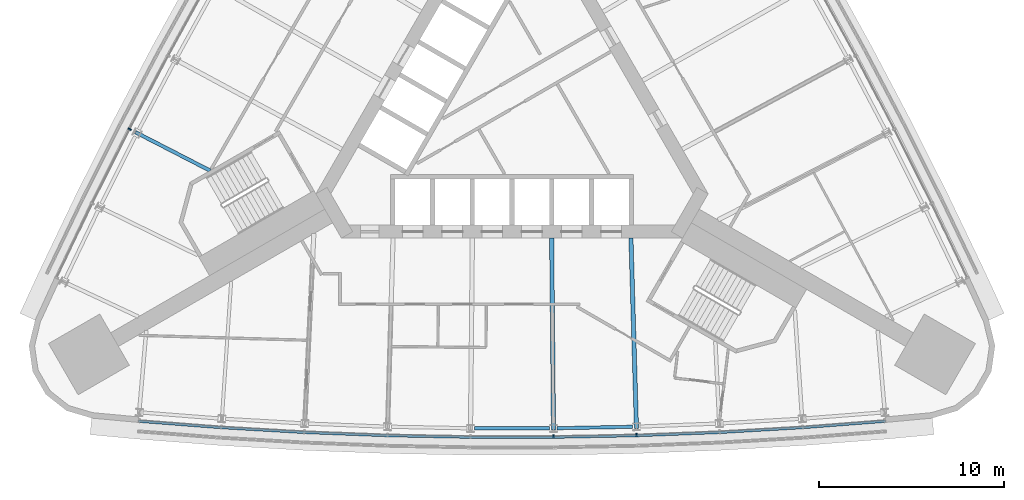
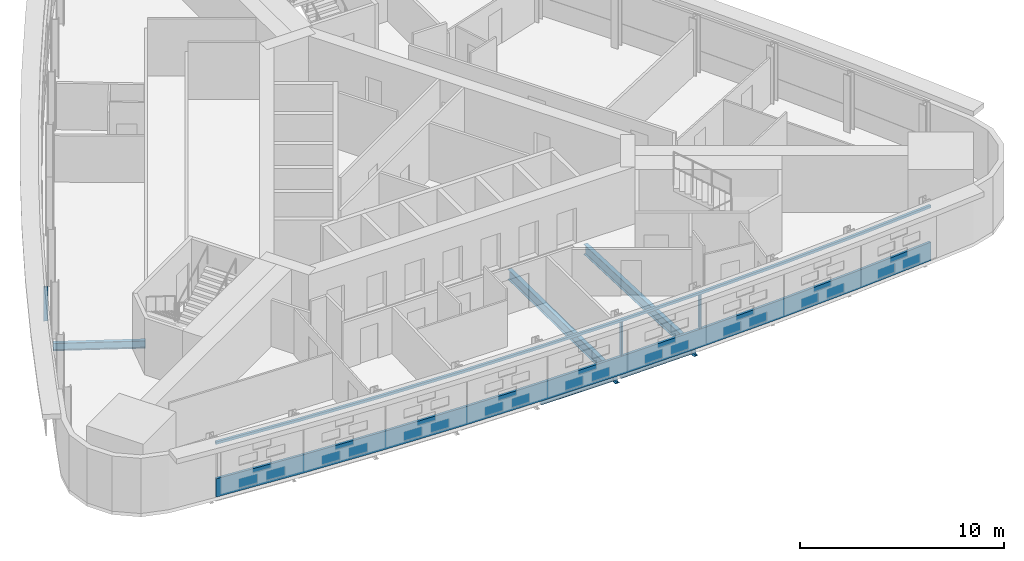
# One storey, part 3 of 14: 5 beams, 5 members, 2 elements without a shape of their own.
"""IFC4 building model written with IfcOpenShell, lengths in metres."""

from ifc_helpers import new_model, si_unit, direction, frame, origin, origin_2d, place, context, subcontext, project, spatial, polyline, rectangle, i_section, outline, extrude, material, material_profile, profile_set, type_object, element, aggregate, save


model = new_model("IFC4")

# Units and contexts
model_context = context("Model", 3, precision=1e-05, world=origin(), true_north=direction((0.0, 1.0)))
body_context = subcontext(model_context, "Body", "Model", "MODEL_VIEW")
ifc_project = project(units=[si_unit("LENGTHUNIT", "METRE"), si_unit("AREAUNIT", "SQUARE_METRE"), si_unit("VOLUMEUNIT", "CUBIC_METRE"), si_unit("PLANEANGLEUNIT", "RADIAN"), si_unit("MASSUNIT", "GRAM", prefix="KILO")], contexts=[model_context])

# Site, building, storey
site_placement = place(None, origin())
site = spatial("IfcSite", under=ifc_project, at=site_placement, CompositionType="ELEMENT")
building_placement = place(site_placement, origin())
building = spatial("IfcBuilding", under=site, at=building_placement, Name="Noor Cloister Tower", CompositionType="ELEMENT")
storey_placement = place(building_placement, frame((0.0, 0.0, 72.60009765625)))
storey = spatial("IfcBuildingStorey", under=building, at=storey_placement, Name="L18", CompositionType="ELEMENT", Elevation=72.60009765625)

# Curtain wall, member
ifc_material_1 = material(Name="Aluminium 6063-T6 anodised", Category="aluminium")
curtain_wall_type = type_object("IfcCurtainWallType", Name="Ribbon curtain wall, lower tower CW1", PredefinedType="NOTDEFINED", material=ifc_material_1)
curtain_wall_1_placement = place(storey_placement, origin())
curtain_wall_1 = element("IfcCurtainWall", 1, at=curtain_wall_1_placement, inside=storey, type_object=curtain_wall_type, Name="CW1 L18 S run 2", PredefinedType="NOTDEFINED")
ifc_material_2 = material(Name="Aluminium 6063-T6 anodised", Category="aluminium")
member_type_1 = type_object("IfcMemberType", Name="Head transom CW1 150", PredefinedType="USERDEFINED", material=ifc_material_2)
member_1_placement = place(storey_placement, frame((0.0, 0.0, 3.14990234375)))
member_1 = element("IfcMember", 2, at=member_1_placement, type_object=member_type_1, Name="CW1 head transom", ObjectType="TRANSOM", PredefinedType="USERDEFINED", context=body_context, shape_type="SweptSolid", body=[
    extrude(outline(polyline([(-20.224609375, -16.900634765625), (-15.738037109375, -17.24755859375), (-11.24560546875, -17.508056640625), (-6.7490234375, -17.681640625), (-2.25, -17.768310546875), (2.25, -17.768310546875), (6.7490234375, -17.681640625), (11.24560546875, -17.508056640625), (15.738037109375, -17.24755859375), (20.224609375, -16.900634765625), (20.2138671875, -16.76123046875), (15.728515625, -17.10791015625), (11.23876953125, -17.3681640625), (6.7451171875, -17.54150390625), (2.24853515625, -17.62841796875), (-2.24853515625, -17.62841796875), (-6.7451171875, -17.54150390625), (-11.23876953125, -17.3681640625), (-15.728515625, -17.10791015625), (-20.2138671875, -16.76123046875), (-20.224609375, -16.900634765625)])), origin(), (0.0, 0.0, 1.0), 0.14990234375),
])

curtain_wall_2_placement = place(storey_placement, origin())
curtain_wall_2 = element("IfcCurtainWall", 3, at=curtain_wall_2_placement, inside=storey, type_object=curtain_wall_type, Name="CW1 L18 NW run 1", PredefinedType="NOTDEFINED")
ifc_material_3 = material(Name="Aluminium 6063-T6 anodised", Category="aluminium")
ifc_material_profile_1 = material_profile(ifc_material_3, rectangle(XDim=0.199951171875, YDim=0.080078125, at=origin_2d()), Name="200 x 80 mullion")
ifc_profile_set_1 = profile_set([ifc_material_profile_1], Name="Aluminium 6063-T6 anodised")
member_type_2 = type_object("IfcMemberType", Name="Mullion CW1 80 x 200", PredefinedType="MULLION", material=ifc_profile_set_1)
member_2_placement = place(storey_placement, frame((-20.6962890625, -1.03076171875, 1.099853515625), z_axis=(0.0, 0.0, 1.0), x_axis=(0.889124353798, -0.45766568965, 0.0)))
member_2 = element("IfcMember", 4, at=member_2_placement, type_object=member_type_2, Name="CW1 mullion 8", PredefinedType="MULLION", context=body_context, shape_type="SweptSolid", body=[
    extrude(rectangle(XDim=0.199951171875, YDim=0.080078125, at=origin_2d()), origin(), (0.0, 0.0, 1.0), 2.050048828125),
])
aggregate(curtain_wall_2, [member_2])

# Member
member_3_placement = place(storey_placement, frame((2.2490234375, -17.668212890625, 1.099853515625), z_axis=(0.0, 0.0, 1.0), x_axis=(-0.009646005931, 0.999953476203, 0.0)))
member_3 = element("IfcMember", 5, at=member_3_placement, type_object=member_type_2, Name="CW1 mullion 6", PredefinedType="MULLION", context=body_context, shape_type="SweptSolid", body=[
    extrude(rectangle(XDim=0.199951171875, YDim=0.080078125, at=origin_2d()), origin(), (0.0, 0.0, 1.0), 2.050048828125),
])

member_4_placement = place(storey_placement, frame((6.74609375, -17.58154296875, 1.099853515625), z_axis=(0.0, 0.0, 1.0), x_axis=(-0.028934410279, 0.999581312301, 0.0)))
member_4 = element("IfcMember", 6, at=member_4_placement, type_object=member_type_2, Name="CW1 mullion 7", PredefinedType="MULLION", context=body_context, shape_type="SweptSolid", body=[
    extrude(rectangle(XDim=0.199951171875, YDim=0.080078125, at=origin_2d()), origin(), (0.0, 0.0, 1.0), 2.050048828125),
])

# Beams
ifc_material_4 = material(Name="Steel ASTM A992 Gr 50", Category="steel")
ifc_material_profile_2 = material_profile(ifc_material_4, i_section(OverallWidth=0.19091796875, OverallDepth=0.45703125, WebThickness=0.009033203125, FlangeThickness=0.014404296875, FilletRadius=0.01025390625, at=origin_2d()), Name="W460x74")
ifc_profile_set_2 = profile_set([ifc_material_profile_2], Name="Steel ASTM A992 Gr 50")
beam_type_1 = type_object("IfcBeamType", Name="Radial beam W460x74", PredefinedType="BEAM", material=ifc_profile_set_2)
beam_1_placement = place(storey_placement, frame((-20.38232421875, -1.1923828125, -0.4287109375), z_axis=(0.8891242411, -0.457665908592, 0.0), x_axis=(0.457665908592, 0.8891242411, 0.0)))
element("IfcBeam", 7, at=beam_1_placement, inside=storey, type_object=beam_type_1, Name="Radial beam NW 08 L18", PredefinedType="BEAM", context=body_context, shape_type="SweptSolid", body=[
    extrude(i_section(OverallWidth=0.19091796875, OverallDepth=0.45703125, WebThickness=0.009033203125, FlangeThickness=0.014404296875, FilletRadius=0.01025390625, at=origin_2d()), origin(), (0.0, 0.0, 1.0), 4.546142578125),
])
ifc_material_5 = material(Name="Steel ASTM A992 Gr 50", Category="steel")
ifc_material_profile_3 = material_profile(ifc_material_5, i_section(OverallWidth=0.22802734375, OverallDepth=0.60205078125, WebThickness=0.010498046875, FlangeThickness=0.014892578125, FilletRadius=0.0126953125, at=origin_2d()), Name="W610x101")
ifc_profile_set_3 = profile_set([ifc_material_profile_3], Name="Steel ASTM A992 Gr 50")
beam_type_2 = type_object("IfcBeamType", Name="Radial beam W610x101", PredefinedType="BEAM", material=ifc_profile_set_3)
beam_2_placement = place(storey_placement, frame((2.24560546875, -17.3154296875, -0.5009765625), z_axis=(-0.009636181171, 0.999953570928, 0.0), x_axis=(-0.999953570928, -0.009636181171, 0.0)))
element("IfcBeam", 8, at=beam_2_placement, inside=storey, type_object=beam_type_2, Name="Radial beam S 06 L18", PredefinedType="BEAM", context=body_context, shape_type="SweptSolid", body=[
    extrude(i_section(OverallWidth=0.22802734375, OverallDepth=0.60205078125, WebThickness=0.010498046875, FlangeThickness=0.014892578125, FilletRadius=0.0126953125, at=origin_2d()), origin(), (0.0, 0.0, 1.0), 10.3876953125),
])
beam_3_placement = place(storey_placement, frame((6.73583984375, -17.228759765625, -0.5009765625), z_axis=(-0.028927710154, 0.999581506224, 0.0), x_axis=(-0.999581506224, -0.028927710154, 0.0)))
element("IfcBeam", 9, at=beam_3_placement, inside=storey, type_object=beam_type_2, Name="Radial beam S 07 L18", PredefinedType="BEAM", context=body_context, shape_type="SweptSolid", body=[
    extrude(i_section(OverallWidth=0.22802734375, OverallDepth=0.60205078125, WebThickness=0.010498046875, FlangeThickness=0.014892578125, FilletRadius=0.0126953125, at=origin_2d()), origin(), (0.0, 0.0, 1.0), 10.304931640625),
])

# Member
ifc_material_6 = material(Name="Aluminium 6063-T6 anodised", Category="aluminium")
member_type_3 = type_object("IfcMemberType", Name="Sill transom CW1 1100", PredefinedType="USERDEFINED", material=ifc_material_6)
member_5_placement = place(storey_placement, origin())
member_5 = element("IfcMember", 10, at=member_5_placement, type_object=member_type_3, Name="CW1 sill transom", ObjectType="TRANSOM", PredefinedType="USERDEFINED", context=body_context, shape_type="SweptSolid", body=[
    extrude(outline(polyline([(-20.224609375, -16.900634765625), (-15.738037109375, -17.24755859375), (-11.24560546875, -17.508056640625), (-6.7490234375, -17.681640625), (-2.25, -17.768310546875), (2.25, -17.768310546875), (6.7490234375, -17.681640625), (11.24560546875, -17.508056640625), (15.738037109375, -17.24755859375), (20.224609375, -16.900634765625), (20.2138671875, -16.76123046875), (15.728515625, -17.10791015625), (11.23876953125, -17.3681640625), (6.7451171875, -17.54150390625), (2.24853515625, -17.62841796875), (-2.24853515625, -17.62841796875), (-6.7451171875, -17.54150390625), (-11.23876953125, -17.3681640625), (-15.728515625, -17.10791015625), (-20.2138671875, -16.76123046875), (-20.224609375, -16.900634765625)])), origin(), (0.0, 0.0, 1.0), 1.099853515625),
])

aggregate(curtain_wall_1, [member_3, member_4, member_5, member_1])

# Beams
ifc_material_7 = material(Name="Steel ASTM A992 Gr 50", Category="steel")
ifc_material_profile_4 = material_profile(ifc_material_7, i_section(OverallWidth=0.177978515625, OverallDepth=0.406005859375, WebThickness=0.0078125, FlangeThickness=0.0126953125, FilletRadius=0.01025390625, at=origin_2d()), Name="W410x60")
ifc_profile_set_4 = profile_set([ifc_material_profile_4], Name="Steel ASTM A992 Gr 50")
beam_type_3 = type_object("IfcBeamType", Name="Spandrel beam W410x60", PredefinedType="SPANDREL", material=ifc_profile_set_4)
for number, where, z_axis, x_axis, name in (
    (11, (-2.042724609375, -17.21826171875, -0.403076171875), (1.0, 0.0, 0.0), (0.0, 1.0, 0.0), "Spandrel beam S 05 L18"),
    (12, (2.446533203125, -17.21435546875, -0.403076171875), (0.999814852725, 0.019242148262, 0.0), (-0.019242148262, 0.999814852725, 0.0), "Spandrel beam S 06 L18"),
):
    element("IfcBeam", number, at=place(storey_placement, frame(where, z_axis=z_axis, x_axis=x_axis)), inside=storey, type_object=beam_type_3, Name=name, PredefinedType="SPANDREL", context=body_context, shape_type="SweptSolid", body=[
        extrude(i_section(OverallWidth=0.177978515625, OverallDepth=0.406005859375, WebThickness=0.0078125, FlangeThickness=0.0126953125, FilletRadius=0.01025390625, at=origin_2d()), origin(), (0.0, 0.0, 1.0), 4.08544921875),
    ])

save(model, "model.ifc")
